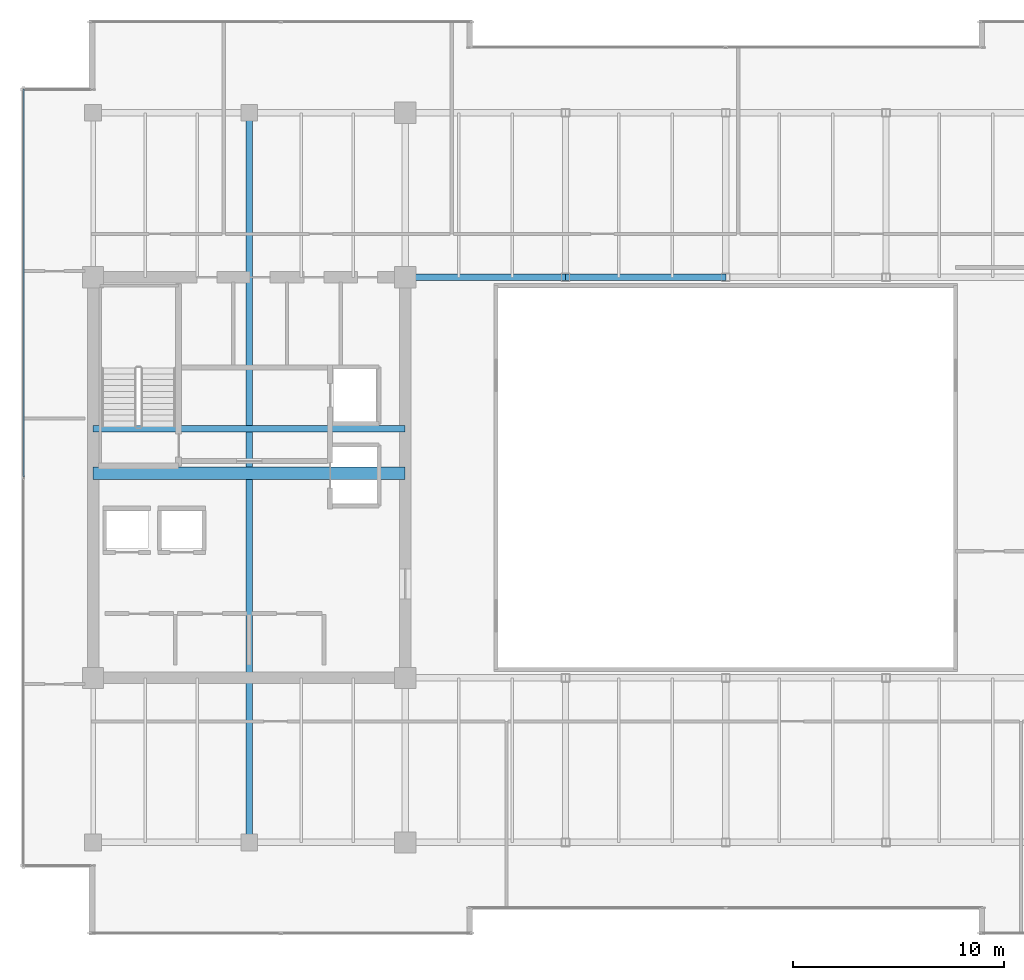
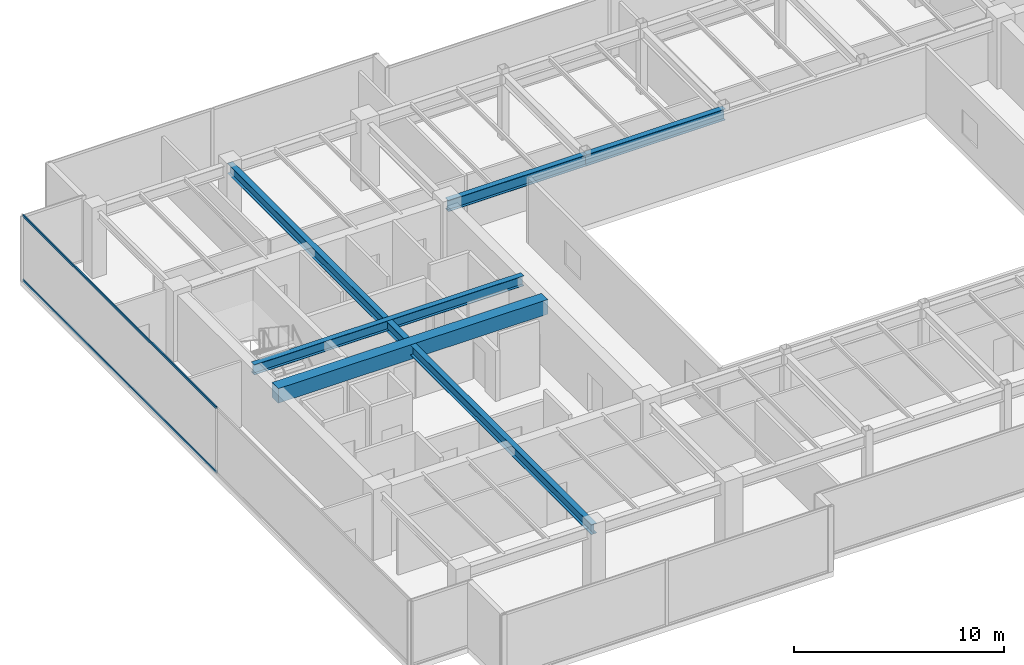
# One storey, part 10 of 33: 5 beams, 2 members, 1 element without a shape of its own.
"""IFC4 building model written with IfcOpenShell, lengths in metres."""

from ifc_helpers import new_model, si_unit, direction, frame, origin, origin_2d, place, context, subcontext, project, spatial, rectangle, hollow_rectangle, i_section, extrude, source, transform, mapped, material, layer, layer_set, material_profile, profile_set, type_object, type_shapes, element, aggregate, save


model = new_model("IFC4")

# Units and contexts
model_context = context("Model", 3, precision=1e-05, world=origin(), true_north=direction((0.0, 1.0)))
body_context = subcontext(model_context, "Body", "Model", "MODEL_VIEW")
ifc_project = project(units=[si_unit("LENGTHUNIT", "METRE"), si_unit("AREAUNIT", "SQUARE_METRE"), si_unit("VOLUMEUNIT", "CUBIC_METRE"), si_unit("PLANEANGLEUNIT", "RADIAN"), si_unit("MASSUNIT", "GRAM", prefix="KILO")], contexts=[model_context])

# Site, building, storey
site_placement = place(None, origin())
site = spatial("IfcSite", under=ifc_project, at=site_placement, CompositionType="ELEMENT")
building_placement = place(site_placement, origin())
building = spatial("IfcBuilding", under=site, at=building_placement, Name="Haelvirn Gate Laboratories", CompositionType="ELEMENT")
storey_placement = place(building_placement, frame((0.0, 0.0, 275.199951171875)))
storey = spatial("IfcBuildingStorey", under=building, at=storey_placement, Name="L66", CompositionType="ELEMENT", Elevation=275.199951171875)

# Beams
ifc_material_1 = material(Name="Steel SM355", Category="steel")
ifc_material_profile_1 = material_profile(ifc_material_1, i_section(OverallWidth=0.300048828125, OverallDepth=0.587890625, WebThickness=0.011962890625, FlangeThickness=0.02001953125, at=origin_2d()), Name="H-588x300x12x20")
ifc_profile_set_1 = profile_set([ifc_material_profile_1], Name="Steel SM355")
beam_type_1 = type_object("IfcBeamType", Name="BM-G-588", PredefinedType="BEAM", material=ifc_profile_set_1)
shared_shape_1 = source(origin(), body_context, "Body", "SweptSolid", [
    extrude(i_section(OverallWidth=0.300048828125, OverallDepth=0.587890625, WebThickness=0.011962890625, FlangeThickness=0.02001953125, at=origin_2d()), origin(), (0.0, 0.0, 1.0), 14.800048828125),
])
beam_1_placement = place(storey_placement, frame((7.39990234375, 26.6201171875, 3.506103515625), z_axis=(1.0, 0.0, 0.0), x_axis=(0.0, 1.0, 0.0)))
element("IfcBeam", 1, at=beam_1_placement, inside=storey, type_object=beam_type_1, Name="L66 Stair ST1 Landing Header", PredefinedType="BEAM", context=body_context, shape_type="MappedRepresentation", body=[
    mapped(shared_shape_1, transform((0.0, 0.0, 0.0), scale=1.0)),
])
shared_shape_2 = source(origin(), body_context, "Body", "SweptSolid", [
    extrude(i_section(OverallWidth=0.300048828125, OverallDepth=0.587890625, WebThickness=0.011962890625, FlangeThickness=0.02001953125, at=origin_2d()), origin(), (0.0, 0.0, 1.0), 34.60009765625),
])
type_shapes(beam_type_1, [shared_shape_1, shared_shape_2])
beam_2_placement = place(storey_placement, frame((14.800048828125, 7.0, 3.506103515625), z_axis=(0.0, 1.0, 0.0), x_axis=(-1.0, 0.0, 0.0)))
element("IfcBeam", 2, at=beam_2_placement, inside=storey, type_object=beam_type_1, Name="L66 Frame Girder X14.8 (7.0-41.6)", PredefinedType="BEAM", context=body_context, shape_type="MappedRepresentation", body=[
    mapped(shared_shape_2, transform((0.0, 0.0, 0.0), scale=1.0)),
])
ifc_material_2 = material(Name="Concrete C50/60", Category="concrete")
ifc_material_profile_2 = material_profile(ifc_material_2, rectangle(XDim=0.60009765625, YDim=0.85009765625, at=origin_2d()), Name="RCB-600x850")
ifc_profile_set_2 = profile_set([ifc_material_profile_2], Name="Concrete C50/60")
beam_type_2 = type_object("IfcBeamType", Name="BM-RCB-850", PredefinedType="LINTEL", material=ifc_profile_set_2)
shared_shape_3 = source(origin(), body_context, "Body", "SweptSolid", [
    extrude(rectangle(XDim=0.60009765625, YDim=0.85009765625, at=origin_2d()), origin(), (0.0, 0.0, 1.0), 14.800048828125),
])
type_shapes(beam_type_2, [shared_shape_3])
beam_3_placement = place(storey_placement, frame((7.39990234375, 24.5, 3.375), z_axis=(1.0, 0.0, 0.0), x_axis=(0.0, 1.0, 0.0)))
element("IfcBeam", 3, at=beam_3_placement, inside=storey, type_object=beam_type_2, Name="L66 West Core Coupling Beam", PredefinedType="LINTEL", context=body_context, shape_type="MappedRepresentation", body=[
    mapped(shared_shape_3, transform((0.0, 0.0, 0.0), scale=1.0)),
])
ifc_material_profile_3 = material_profile(ifc_material_1, i_section(OverallWidth=0.300048828125, OverallDepth=0.64990234375, WebThickness=0.012939453125, FlangeThickness=0.02197265625, at=origin_2d()), Name="H-650x300x13x22")
ifc_profile_set_3 = profile_set([ifc_material_profile_3], Name="Steel SM355")
beam_type_3 = type_object("IfcBeamType", Name="BM-G-650", PredefinedType="BEAM", material=ifc_profile_set_3)
shared_shape_4 = source(origin(), body_context, "Body", "SweptSolid", [
    extrude(i_section(OverallWidth=0.300048828125, OverallDepth=0.64990234375, WebThickness=0.012939453125, FlangeThickness=0.02197265625, at=origin_2d()), origin(), (0.0, 0.0, 1.0), 7.60009765625),
])
beam_4_placement = place(storey_placement, frame((22.199951171875, 33.800048828125, 3.47509765625), z_axis=(1.0, 0.0, 0.0), x_axis=(0.0, 1.0, 0.0)))
element("IfcBeam", 4, at=beam_4_placement, inside=storey, type_object=beam_type_3, Name="L66 Primary Girder Y33.8 (22.2-29.8)", PredefinedType="BEAM", context=body_context, shape_type="MappedRepresentation", body=[
    mapped(shared_shape_4, transform((0.0, 0.0, 0.0), scale=1.0)),
])
shared_shape_5 = source(origin(), body_context, "Body", "SweptSolid", [
    extrude(i_section(OverallWidth=0.300048828125, OverallDepth=0.64990234375, WebThickness=0.012939453125, FlangeThickness=0.02197265625, at=origin_2d()), origin(), (0.0, 0.0, 1.0), 7.599853515625),
])
type_shapes(beam_type_3, [shared_shape_4, shared_shape_5])
beam_5_placement = place(storey_placement, frame((29.800048828125, 33.800048828125, 3.47509765625), z_axis=(1.0, 0.0, 0.0), x_axis=(0.0, 1.0, 0.0)))
element("IfcBeam", 5, at=beam_5_placement, inside=storey, type_object=beam_type_3, Name="L66 Primary Girder Y33.8 (29.8-37.4)", PredefinedType="BEAM", context=body_context, shape_type="MappedRepresentation", body=[
    mapped(shared_shape_5, transform((0.0, 0.0, 0.0), scale=1.0)),
])

# Curtain wall, members
ifc_material_3 = material(Name="Anodised bronze unitised aluminium & triple low-E glass", Category="aluminium")
ifc_layer = layer(ifc_material_3, 0.176025390625, Name="CW-SYS-4")
ifc_layer_set = layer_set([ifc_layer], Name="Anodised bronze unitised aluminium & triple low-E glass")
curtain_wall_type = type_object("IfcCurtainWallType", Name="CW-SYS-4", PredefinedType="NOTDEFINED", material=ifc_layer_set)
curtain_wall_placement = place(storey_placement, origin())
curtain_wall = element("IfcCurtainWall", 6, at=curtain_wall_placement, inside=storey, type_object=curtain_wall_type, Name="L66 Unitised Curtain Wall CW-L66-P0-E17", PredefinedType="NOTDEFINED")
ifc_material_4 = material(Name="Extruded aluminium 6063-T6 (anodised bronze)", Category="aluminium")
ifc_material_profile_4 = material_profile(ifc_material_4, hollow_rectangle(XDim=0.06494140625, YDim=0.139892578125, WallThickness=0.00390625, at=origin_2d()), Name="CWT-140x65x4")
ifc_profile_set_4 = profile_set([ifc_material_profile_4], Name="Extruded aluminium 6063-T6 (anodised bronze)")
member_type = type_object("IfcMemberType", Name="CWT-T140", PredefinedType="USERDEFINED", material=ifc_profile_set_4)
shared_shape_6 = source(origin(), body_context, "Body", "SweptSolid", [
    extrude(hollow_rectangle(XDim=0.06494140625, YDim=0.139892578125, WallThickness=0.00390625, at=origin_2d()), origin(), (0.0, 0.0, 1.0), 18.39501953125),
])
type_shapes(member_type, [shared_shape_6])
member_1_placement = place(storey_placement, frame((4.10009765625, 42.72998046875, 0.032470703125), z_axis=(0.0, -1.0, 0.0), x_axis=(1.0, 0.0, 0.0)))
member_1 = element("IfcMember", 7, at=member_1_placement, type_object=member_type, Name="CW4 transom 1.1", ObjectType="TRANSOM", PredefinedType="USERDEFINED", context=body_context, shape_type="MappedRepresentation", body=[
    mapped(shared_shape_6, transform((0.0, 0.0, 0.0), scale=1.0)),
])
member_2_placement = place(storey_placement, frame((4.10009765625, 42.72998046875, 3.767578125), z_axis=(0.0, -1.0, 0.0), x_axis=(1.0, 0.0, 0.0)))
member_2 = element("IfcMember", 8, at=member_2_placement, type_object=member_type, Name="CW4 transom 1.2", ObjectType="TRANSOM", PredefinedType="USERDEFINED", context=body_context, shape_type="MappedRepresentation", body=[
    mapped(shared_shape_6, transform((0.0, 0.0, 0.0), scale=1.0)),
])
aggregate(curtain_wall, [member_1, member_2])

save(model, "model.ifc")
